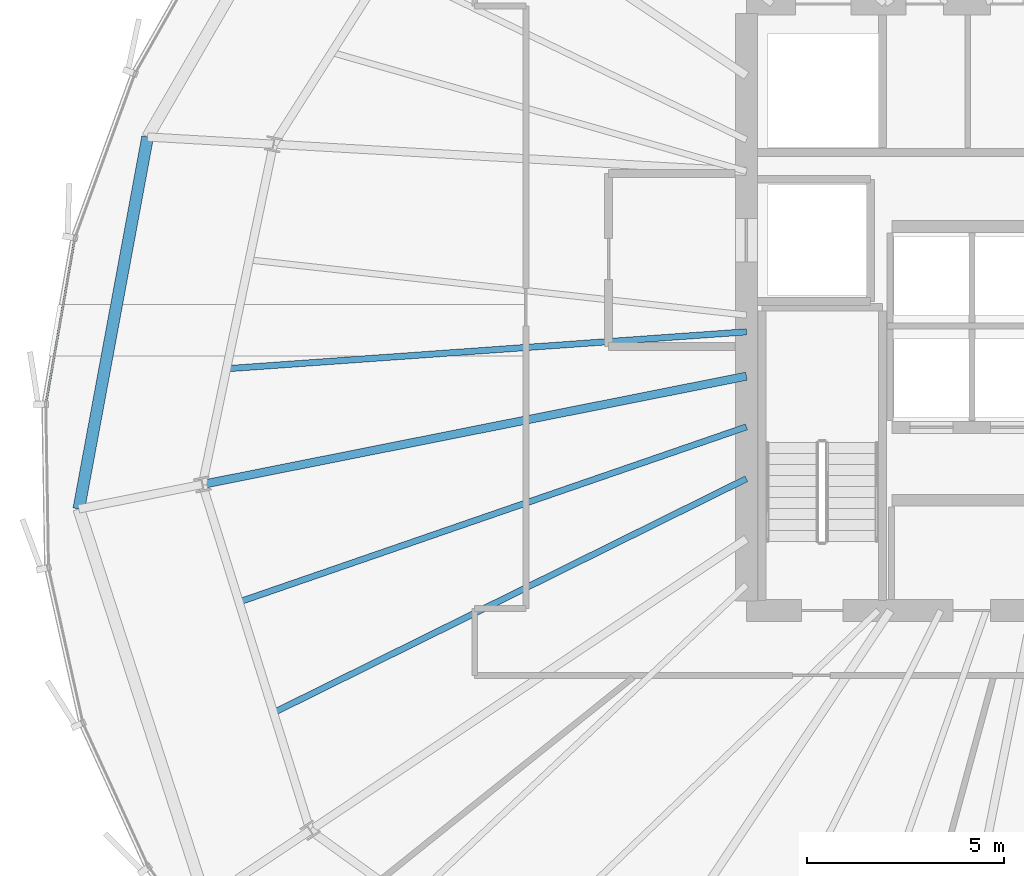
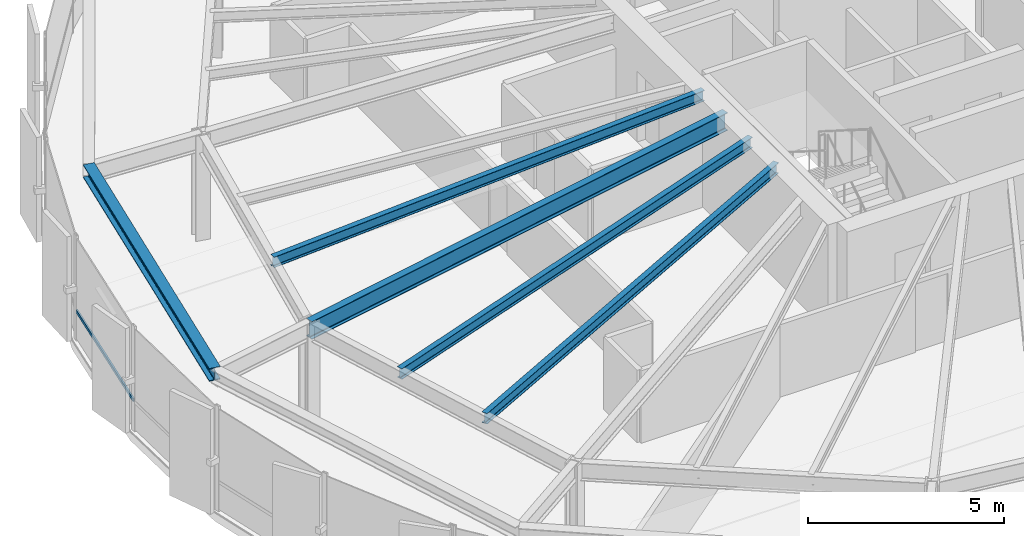
# One storey, part 9 of 32: 5 beams, 1 member, 1 element without a shape of its own.
"""IFC4 building model written with IfcOpenShell, lengths in metres."""

from ifc_helpers import new_model, si_unit, direction, frame, origin, origin_2d, place, context, subcontext, project, spatial, hollow_rectangle, i_section, extrude, source, transform, mapped, material, layer, layer_set, material_profile, profile_set, type_object, element, aggregate, save


model = new_model("IFC4")

# Units and contexts
model_context = context("Model", 3, precision=1e-05, world=origin(), true_north=direction((0.0, 1.0)))
body_context = subcontext(model_context, "Body", "Model", "MODEL_VIEW")
ifc_project = project(units=[si_unit("LENGTHUNIT", "METRE"), si_unit("AREAUNIT", "SQUARE_METRE"), si_unit("VOLUMEUNIT", "CUBIC_METRE"), si_unit("PLANEANGLEUNIT", "RADIAN"), si_unit("MASSUNIT", "GRAM", prefix="KILO"), si_unit("THERMODYNAMICTEMPERATUREUNIT", "KELVIN")], contexts=[model_context])

# Site, building, storey
site_placement = place(None, origin())
site = spatial("IfcSite", under=ifc_project, at=site_placement, CompositionType="ELEMENT")
building_placement = place(site_placement, origin())
building = spatial("IfcBuilding", under=site, at=building_placement, Name="Kethvar Cultural Tower", CompositionType="ELEMENT")
storey_placement = place(building_placement, frame((0.0, 0.0, 157.199951171875)))
storey = spatial("IfcBuildingStorey", under=building, at=storey_placement, Name="L40", CompositionType="ELEMENT", Elevation=157.199951171875)

# Beams
ifc_material_1 = material(Name="Steel S355J2", Category="steel")
ifc_material_profile_1 = material_profile(ifc_material_1, i_section(OverallWidth=0.2099609375, OverallDepth=0.550048828125, WebThickness=0.010986328125, FlangeThickness=0.01708984375, FilletRadius=0.02392578125, at=origin_2d()), Name="Steel S355J2 — IPE550")
ifc_profile_set_1 = profile_set([ifc_material_profile_1], Name="Steel S355J2 — IPE550")
beam_type_1 = type_object("IfcBeamType", Name="BM-IPE550", PredefinedType="BEAM", material=ifc_profile_set_1)
shared_shape_1 = source(origin(), body_context, "Body", "SweptSolid", [
    extrude(i_section(OverallWidth=0.2099609375, OverallDepth=0.550048828125, WebThickness=0.010986328125, FlangeThickness=0.01708984375, FilletRadius=0.02392578125, at=origin_2d()), origin(), (0.0, 0.0, 1.0), 14.085205078125),
])
beam_1_placement = place(storey_placement, frame((38.0, 26.049560546875, 3.02294921875), z_axis=(-0.98078679373, -0.195082713854, 0.0), x_axis=(0.195082713854, -0.98078679373, 0.0)))
element("IfcBeam", 1, at=beam_1_placement, inside=storey, type_object=beam_type_1, Name="L40 Primary Radial Beam RB-09", PredefinedType="BEAM", context=body_context, shape_type="MappedRepresentation", body=[
    mapped(shared_shape_1, transform((0.0, 0.0, 0.0), scale=1.0)),
])
ifc_material_profile_2 = material_profile(ifc_material_1, i_section(OverallWidth=0.300048828125, OverallDepth=0.39990234375, WebThickness=0.013427734375, FlangeThickness=0.02392578125, FilletRadius=0.027099609375, at=origin_2d()), Name="Steel S355J2 — HEB400")
ifc_profile_set_2 = profile_set([ifc_material_profile_2], Name="Steel S355J2 — HEB400")
beam_type_2 = type_object("IfcBeamType", Name="BM-SP400", PredefinedType="SPANDREL", material=ifc_profile_set_2)
shared_shape_2 = source(origin(), body_context, "Body", "SweptSolid", [
    extrude(i_section(OverallWidth=0.300048828125, OverallDepth=0.39990234375, WebThickness=0.013427734375, FlangeThickness=0.02392578125, FilletRadius=0.027099609375, at=origin_2d()), origin(), (0.0, 0.0, 1.0), 9.605712890625),
])
beam_2_placement = place(storey_placement, frame((22.793701171875, 32.123046875, 3.09814453125), z_axis=(-0.1818526217, -0.983325797476, 0.0), x_axis=(0.983325797476, -0.1818526217, 0.0)))
element("IfcBeam", 2, at=beam_2_placement, inside=storey, type_object=beam_type_2, Name="L40 Perimeter Spandrel Beam SP-08", PredefinedType="SPANDREL", context=body_context, shape_type="MappedRepresentation", body=[
    mapped(shared_shape_2, transform((0.0, 0.0, 0.0), scale=1.0)),
])
ifc_material_profile_3 = material_profile(ifc_material_1, i_section(OverallWidth=0.159912109375, OverallDepth=0.330078125, WebThickness=0.007568359375, FlangeThickness=0.011474609375, FilletRadius=0.01806640625, at=origin_2d()), Name="Steel S355J2 — IPE330")
ifc_profile_set_3 = profile_set([ifc_material_profile_3], Name="Steel S355J2 — IPE330")
beam_type_3 = type_object("IfcBeamType", Name="BM-J330", PredefinedType="JOIST", material=ifc_profile_set_3)
shared_shape_3 = source(origin(), body_context, "Body", "SweptSolid", [
    extrude(i_section(OverallWidth=0.159912109375, OverallDepth=0.330078125, WebThickness=0.007568359375, FlangeThickness=0.011474609375, FilletRadius=0.01806640625, at=origin_2d()), origin(), (0.0, 0.0, 1.0), 13.234619140625),
])
beam_3_placement = place(storey_placement, frame((38.0, 27.175537109375, 3.133056640625), z_axis=(-0.997490530945, -0.070800004767, 0.0), x_axis=(0.070800004767, -0.997490530945, 0.0)))
element("IfcBeam", 3, at=beam_3_placement, inside=storey, type_object=beam_type_3, Name="L40 Composite Floor Joist J-08B", PredefinedType="JOIST", context=body_context, shape_type="MappedRepresentation", body=[
    mapped(shared_shape_3, transform((0.0, 0.0, 0.0), scale=1.0)),
])
shared_shape_4 = source(origin(), body_context, "Body", "SweptSolid", [
    extrude(i_section(OverallWidth=0.159912109375, OverallDepth=0.330078125, WebThickness=0.007568359375, FlangeThickness=0.011474609375, FilletRadius=0.01806640625, at=origin_2d()), origin(), (0.0, 0.0, 1.0), 13.630615234375),
])
beam_4_placement = place(storey_placement, frame((38.0, 24.762451171875, 3.133056640625), z_axis=(-0.945269577646, -0.326290400682, 0.0), x_axis=(0.326290400682, -0.945269577646, 0.0)))
element("IfcBeam", 4, at=beam_4_placement, inside=storey, type_object=beam_type_3, Name="L40 Composite Floor Joist J-09A", PredefinedType="JOIST", context=body_context, shape_type="MappedRepresentation", body=[
    mapped(shared_shape_4, transform((0.0, 0.0, 0.0), scale=1.0)),
])
shared_shape_5 = source(origin(), body_context, "Body", "SweptSolid", [
    extrude(i_section(OverallWidth=0.159912109375, OverallDepth=0.330078125, WebThickness=0.007568359375, FlangeThickness=0.011474609375, FilletRadius=0.01806640625, at=origin_2d()), origin(), (0.0, 0.0, 1.0), 13.39892578125),
])
beam_5_placement = place(storey_placement, frame((38.0, 23.44580078125, 3.133056640625), z_axis=(-0.896292467417, -0.44346342899, 0.0), x_axis=(0.44346342899, -0.896292467417, 0.0)))
element("IfcBeam", 5, at=beam_5_placement, inside=storey, type_object=beam_type_3, Name="L40 Composite Floor Joist J-09B", PredefinedType="JOIST", context=body_context, shape_type="MappedRepresentation", body=[
    mapped(shared_shape_5, transform((0.0, 0.0, 0.0), scale=1.0)),
])

# Curtain wall, member
ifc_material_2 = material(Name="Aluminium 6063-T6", Category="aluminium")
ifc_layer = layer(ifc_material_2, 0.179931640625, Name="Aluminium 6063-T6", Category="aluminium")
ifc_layer_set = layer_set([ifc_layer], Name="Aluminium 6063-T6 (180 mm)")
curtain_wall_type = type_object("IfcCurtainWallType", Name="CW-SYS-04-Z34", PredefinedType="NOTDEFINED", material=ifc_layer_set)
curtain_wall_placement = place(storey_placement, origin())
curtain_wall = element("IfcCurtainWall", 6, at=curtain_wall_placement, inside=storey, type_object=curtain_wall_type, Name="L40 Curtain Wall Run 03", PredefinedType="NOTDEFINED")
ifc_material_profile_4 = material_profile(ifc_material_2, hollow_rectangle(XDim=0.050048828125, YDim=0.10009765625, WallThickness=0.00390625, at=origin_2d()), Name="Aluminium 6063-T6 — RHS100x50x4")
ifc_profile_set_4 = profile_set([ifc_material_profile_4], Name="Aluminium 6063-T6 — RHS100x50x4")
member_type = type_object("IfcMemberType", Name="CW-SYS-04-Z34-TRN", PredefinedType="USERDEFINED", material=ifc_profile_set_4)
shared_shape_6 = source(origin(), body_context, "Body", "SweptSolid", [
    extrude(hollow_rectangle(XDim=0.050048828125, YDim=0.10009765625, WallThickness=0.00390625, at=origin_2d()), origin(), (0.0, 0.0, 1.0), 4.22216796875),
])
member_placement = place(storey_placement, frame((20.93896484375, 29.518798828125, 0.949951171875), z_axis=(-0.171970739642, -0.985102058016, 0.0), x_axis=(0.985102058016, -0.171970739642, 0.0)))
member = element("IfcMember", 7, at=member_placement, type_object=member_type, Name="CW-L40-R03 Transom 3", ObjectType="TRANSOM", PredefinedType="USERDEFINED", context=body_context, shape_type="MappedRepresentation", body=[
    mapped(shared_shape_6, transform((0.0, 0.0, 0.0), scale=1.0)),
])
aggregate(curtain_wall, [member])

save(model, "model.ifc")
